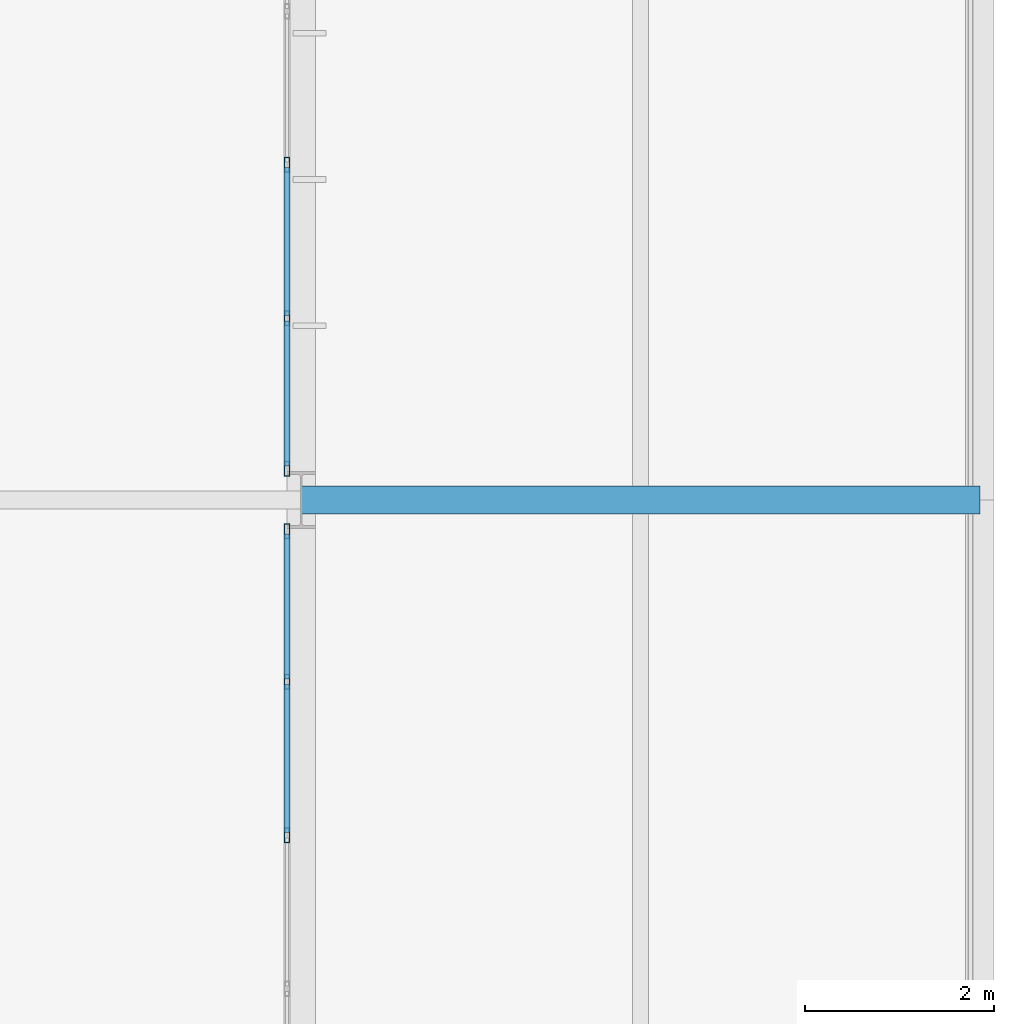
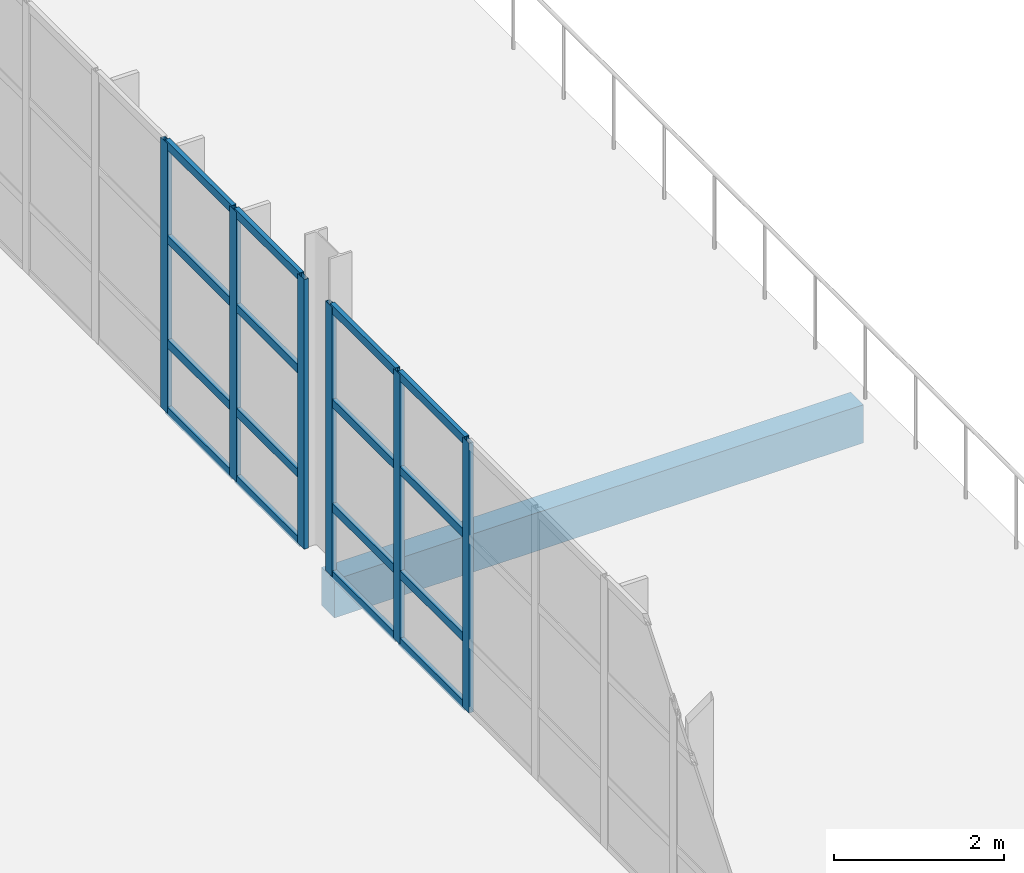
# One storey, part 81 of 109: 22 members, 1 beam, 2 elements without a shape of their own.
"""IFC4 building model written with IfcOpenShell, lengths in metres."""

from ifc_helpers import new_model, si_unit, direction, frame, origin, origin_2d, place, context, subcontext, project, spatial, rectangle, hollow_rectangle, extrude, material, material_profile, profile_set, type_object, element, aggregate, save


model = new_model("IFC4")

# Units and contexts
model_context = context("Model", 3, precision=1e-05, world=origin(), true_north=direction((0.0, 1.0)))
body_context = subcontext(model_context, "Body", "Model", "MODEL_VIEW")
ifc_project = project(units=[si_unit("LENGTHUNIT", "METRE"), si_unit("AREAUNIT", "SQUARE_METRE"), si_unit("VOLUMEUNIT", "CUBIC_METRE"), si_unit("PLANEANGLEUNIT", "RADIAN"), si_unit("MASSUNIT", "GRAM", prefix="KILO")], contexts=[model_context])

# Site, building, storey
site_placement = place(None, origin())
site = spatial("IfcSite", under=ifc_project, at=site_placement, CompositionType="ELEMENT")
building_placement = place(site_placement, origin())
building = spatial("IfcBuilding", under=site, at=building_placement, Name="Veltarok Museum of Natural Sciences", CompositionType="ELEMENT")
storey_placement = place(building_placement, frame((0.0, 0.0, 17.39990234375)))
storey = spatial("IfcBuildingStorey", under=building, at=storey_placement, Name="L03", CompositionType="ELEMENT", Elevation=17.39990234375)

# Curtain wall, members
ifc_material_1 = material(Name="Low-iron triple insulated glass", Category="glass")
curtain_wall_type_1 = type_object("IfcCurtainWallType", Name="Curtain Wall System CW-V5E-L03-E-1140x388 (V5 East Lab L03 E-F 1140x388cm)", PredefinedType="NOTDEFINED", material=ifc_material_1)
curtain_wall_1_placement = place(storey_placement, origin())
curtain_wall_1 = element("IfcCurtainWall", 1, at=curtain_wall_1_placement, inside=storey, type_object=curtain_wall_type_1, Name="Curtain Wall CW-V5E-L03-E-1140x388 CW-0118", PredefinedType="NOTDEFINED")
ifc_material_2 = material(Name="Thermally broken anodised aluminium", Category="aluminium")
ifc_material_profile_1 = material_profile(ifc_material_2, hollow_rectangle(XDim=0.06005859375, YDim=0.1201171875, WallThickness=0.0048828125, at=origin_2d()), Name="CW TRANSOM 60x120x5")
ifc_profile_set_1 = profile_set([ifc_material_profile_1], Name="Thermally broken anodised aluminium")
member_type_1 = type_object("IfcMemberType", Name="Curtain Wall Horizontal Transom 60x120x5", PredefinedType="USERDEFINED", material=ifc_profile_set_1)
member_1_placement = place(storey_placement, frame((157.449951171875, 44.472900390625, 0.030029296875), z_axis=(0.0, 1.0, 0.0), x_axis=(-1.0, 0.0, 0.0)))
member_1 = element("IfcMember", 2, at=member_1_placement, type_object=member_type_1, Name="CW-V5E-L03-E-1140x388 transom 6.1", ObjectType="TRANSOM", PredefinedType="USERDEFINED", context=body_context, shape_type="SweptSolid", body=[
    extrude(hollow_rectangle(XDim=0.06005859375, YDim=0.1201171875, WallThickness=0.0048828125, at=origin_2d()), origin(), (0.0, 0.0, 1.0), 1.568603515625),
])
member_2_placement = place(storey_placement, frame((157.449951171875, 44.472900390625, 1.0), z_axis=(0.0, 1.0, 0.0), x_axis=(-1.0, 0.0, 0.0)))
member_2 = element("IfcMember", 3, at=member_2_placement, type_object=member_type_1, Name="CW-V5E-L03-E-1140x388 transom 6.2", ObjectType="TRANSOM", PredefinedType="USERDEFINED", context=body_context, shape_type="SweptSolid", body=[
    extrude(hollow_rectangle(XDim=0.06005859375, YDim=0.1201171875, WallThickness=0.0048828125, at=origin_2d()), origin(), (0.0, 0.0, 1.0), 1.568603515625),
])
member_3_placement = place(storey_placement, frame((157.449951171875, 44.472900390625, 2.5), z_axis=(0.0, 1.0, 0.0), x_axis=(-1.0, 0.0, 0.0)))
member_3 = element("IfcMember", 4, at=member_3_placement, type_object=member_type_1, Name="CW-V5E-L03-E-1140x388 transom 6.3", ObjectType="TRANSOM", PredefinedType="USERDEFINED", context=body_context, shape_type="SweptSolid", body=[
    extrude(hollow_rectangle(XDim=0.06005859375, YDim=0.1201171875, WallThickness=0.0048828125, at=origin_2d()), origin(), (0.0, 0.0, 1.0), 1.568603515625),
])
member_4_placement = place(storey_placement, frame((157.449951171875, 44.472900390625, 3.85009765625), z_axis=(0.0, 1.0, 0.0), x_axis=(-1.0, 0.0, 0.0)))
member_4 = element("IfcMember", 5, at=member_4_placement, type_object=member_type_1, Name="CW-V5E-L03-E-1140x388 transom 6.4", ObjectType="TRANSOM", PredefinedType="USERDEFINED", context=body_context, shape_type="SweptSolid", body=[
    extrude(hollow_rectangle(XDim=0.06005859375, YDim=0.1201171875, WallThickness=0.0048828125, at=origin_2d()), origin(), (0.0, 0.0, 1.0), 1.568603515625),
])
member_5_placement = place(storey_placement, frame((157.449951171875, 46.101318359375, 0.030029296875), z_axis=(0.0, 1.0, 0.0), x_axis=(-1.0, 0.0, 0.0)))
member_5 = element("IfcMember", 6, at=member_5_placement, type_object=member_type_1, Name="CW-V5E-L03-E-1140x388 transom 7.1", ObjectType="TRANSOM", PredefinedType="USERDEFINED", context=body_context, shape_type="SweptSolid", body=[
    extrude(hollow_rectangle(XDim=0.06005859375, YDim=0.1201171875, WallThickness=0.0048828125, at=origin_2d()), origin(), (0.0, 0.0, 1.0), 1.53857421875),
])
member_6_placement = place(storey_placement, frame((157.449951171875, 46.101318359375, 1.0), z_axis=(0.0, 1.0, 0.0), x_axis=(-1.0, 0.0, 0.0)))
member_6 = element("IfcMember", 7, at=member_6_placement, type_object=member_type_1, Name="CW-V5E-L03-E-1140x388 transom 7.2", ObjectType="TRANSOM", PredefinedType="USERDEFINED", context=body_context, shape_type="SweptSolid", body=[
    extrude(hollow_rectangle(XDim=0.06005859375, YDim=0.1201171875, WallThickness=0.0048828125, at=origin_2d()), origin(), (0.0, 0.0, 1.0), 1.53857421875),
])
member_7_placement = place(storey_placement, frame((157.449951171875, 46.101318359375, 2.5), z_axis=(0.0, 1.0, 0.0), x_axis=(-1.0, 0.0, 0.0)))
member_7 = element("IfcMember", 8, at=member_7_placement, type_object=member_type_1, Name="CW-V5E-L03-E-1140x388 transom 7.3", ObjectType="TRANSOM", PredefinedType="USERDEFINED", context=body_context, shape_type="SweptSolid", body=[
    extrude(hollow_rectangle(XDim=0.06005859375, YDim=0.1201171875, WallThickness=0.0048828125, at=origin_2d()), origin(), (0.0, 0.0, 1.0), 1.53857421875),
])
member_8_placement = place(storey_placement, frame((157.449951171875, 46.101318359375, 3.85009765625), z_axis=(0.0, 1.0, 0.0), x_axis=(-1.0, 0.0, 0.0)))
member_8 = element("IfcMember", 9, at=member_8_placement, type_object=member_type_1, Name="CW-V5E-L03-E-1140x388 transom 7.4", ObjectType="TRANSOM", PredefinedType="USERDEFINED", context=body_context, shape_type="SweptSolid", body=[
    extrude(hollow_rectangle(XDim=0.06005859375, YDim=0.1201171875, WallThickness=0.0048828125, at=origin_2d()), origin(), (0.0, 0.0, 1.0), 1.53857421875),
])

curtain_wall_type_2 = type_object("IfcCurtainWallType", Name="Curtain Wall System CW-V5E-L03-F-1140x388 (V5 East Lab L03 F-G 1140x388cm)", PredefinedType="NOTDEFINED", material=ifc_material_1)
curtain_wall_2_placement = place(storey_placement, origin())
curtain_wall_2 = element("IfcCurtainWall", 10, at=curtain_wall_2_placement, inside=storey, type_object=curtain_wall_type_2, Name="Curtain Wall CW-V5E-L03-F-1140x388 CW-0119", PredefinedType="NOTDEFINED")
member_9_placement = place(storey_placement, frame((157.449951171875, 48.360107421875, 0.030029296875), z_axis=(0.0, 1.0, 0.0), x_axis=(-1.0, 0.0, 0.0)))
member_9 = element("IfcMember", 11, at=member_9_placement, type_object=member_type_1, Name="CW-V5E-L03-F-1140x388 transom 1.1", ObjectType="TRANSOM", PredefinedType="USERDEFINED", context=body_context, shape_type="SweptSolid", body=[
    extrude(hollow_rectangle(XDim=0.06005859375, YDim=0.1201171875, WallThickness=0.0048828125, at=origin_2d()), origin(), (0.0, 0.0, 1.0), 1.53857421875),
])
member_10_placement = place(storey_placement, frame((157.449951171875, 48.360107421875, 1.0), z_axis=(0.0, 1.0, 0.0), x_axis=(-1.0, 0.0, 0.0)))
member_10 = element("IfcMember", 12, at=member_10_placement, type_object=member_type_1, Name="CW-V5E-L03-F-1140x388 transom 1.2", ObjectType="TRANSOM", PredefinedType="USERDEFINED", context=body_context, shape_type="SweptSolid", body=[
    extrude(hollow_rectangle(XDim=0.06005859375, YDim=0.1201171875, WallThickness=0.0048828125, at=origin_2d()), origin(), (0.0, 0.0, 1.0), 1.53857421875),
])
member_11_placement = place(storey_placement, frame((157.449951171875, 48.360107421875, 2.5), z_axis=(0.0, 1.0, 0.0), x_axis=(-1.0, 0.0, 0.0)))
member_11 = element("IfcMember", 13, at=member_11_placement, type_object=member_type_1, Name="CW-V5E-L03-F-1140x388 transom 1.3", ObjectType="TRANSOM", PredefinedType="USERDEFINED", context=body_context, shape_type="SweptSolid", body=[
    extrude(hollow_rectangle(XDim=0.06005859375, YDim=0.1201171875, WallThickness=0.0048828125, at=origin_2d()), origin(), (0.0, 0.0, 1.0), 1.53857421875),
])
member_12_placement = place(storey_placement, frame((157.449951171875, 48.360107421875, 3.85009765625), z_axis=(0.0, 1.0, 0.0), x_axis=(-1.0, 0.0, 0.0)))
member_12 = element("IfcMember", 14, at=member_12_placement, type_object=member_type_1, Name="CW-V5E-L03-F-1140x388 transom 1.4", ObjectType="TRANSOM", PredefinedType="USERDEFINED", context=body_context, shape_type="SweptSolid", body=[
    extrude(hollow_rectangle(XDim=0.06005859375, YDim=0.1201171875, WallThickness=0.0048828125, at=origin_2d()), origin(), (0.0, 0.0, 1.0), 1.53857421875),
])
member_13_placement = place(storey_placement, frame((157.449951171875, 49.95849609375, 0.030029296875), z_axis=(0.0, 1.0, 0.0), x_axis=(-1.0, 0.0, 0.0)))
member_13 = element("IfcMember", 15, at=member_13_placement, type_object=member_type_1, Name="CW-V5E-L03-F-1140x388 transom 2.1", ObjectType="TRANSOM", PredefinedType="USERDEFINED", context=body_context, shape_type="SweptSolid", body=[
    extrude(hollow_rectangle(XDim=0.06005859375, YDim=0.1201171875, WallThickness=0.0048828125, at=origin_2d()), origin(), (0.0, 0.0, 1.0), 1.568603515625),
])
member_14_placement = place(storey_placement, frame((157.449951171875, 49.95849609375, 1.0), z_axis=(0.0, 1.0, 0.0), x_axis=(-1.0, 0.0, 0.0)))
member_14 = element("IfcMember", 16, at=member_14_placement, type_object=member_type_1, Name="CW-V5E-L03-F-1140x388 transom 2.2", ObjectType="TRANSOM", PredefinedType="USERDEFINED", context=body_context, shape_type="SweptSolid", body=[
    extrude(hollow_rectangle(XDim=0.06005859375, YDim=0.1201171875, WallThickness=0.0048828125, at=origin_2d()), origin(), (0.0, 0.0, 1.0), 1.568603515625),
])
member_15_placement = place(storey_placement, frame((157.449951171875, 49.95849609375, 2.5), z_axis=(0.0, 1.0, 0.0), x_axis=(-1.0, 0.0, 0.0)))
member_15 = element("IfcMember", 17, at=member_15_placement, type_object=member_type_1, Name="CW-V5E-L03-F-1140x388 transom 2.3", ObjectType="TRANSOM", PredefinedType="USERDEFINED", context=body_context, shape_type="SweptSolid", body=[
    extrude(hollow_rectangle(XDim=0.06005859375, YDim=0.1201171875, WallThickness=0.0048828125, at=origin_2d()), origin(), (0.0, 0.0, 1.0), 1.568603515625),
])
member_16_placement = place(storey_placement, frame((157.449951171875, 49.95849609375, 3.85009765625), z_axis=(0.0, 1.0, 0.0), x_axis=(-1.0, 0.0, 0.0)))
member_16 = element("IfcMember", 18, at=member_16_placement, type_object=member_type_1, Name="CW-V5E-L03-F-1140x388 transom 2.4", ObjectType="TRANSOM", PredefinedType="USERDEFINED", context=body_context, shape_type="SweptSolid", body=[
    extrude(hollow_rectangle(XDim=0.06005859375, YDim=0.1201171875, WallThickness=0.0048828125, at=origin_2d()), origin(), (0.0, 0.0, 1.0), 1.568603515625),
])

# Member
ifc_material_profile_2 = material_profile(ifc_material_2, hollow_rectangle(XDim=0.06005859375, YDim=0.159912109375, WallThickness=0.0048828125, at=origin_2d()), Name="CW MULLION 60x160x5")
ifc_profile_set_2 = profile_set([ifc_material_profile_2], Name="Thermally broken anodised aluminium")
member_type_2 = type_object("IfcMemberType", Name="Curtain Wall Vertical Mullion 60x160x5", PredefinedType="MULLION", material=ifc_profile_set_2)
member_17_placement = place(storey_placement, frame((157.449951171875, 44.44287109375, 0.0), z_axis=(0.0, 0.0, 1.0), x_axis=(-1.0, 0.0, 0.0)))
member_17 = element("IfcMember", 19, at=member_17_placement, type_object=member_type_2, Name="CW-V5E-L03-E-1140x388 mullion 6", PredefinedType="MULLION", context=body_context, shape_type="SweptSolid", body=[
    extrude(hollow_rectangle(XDim=0.06005859375, YDim=0.159912109375, WallThickness=0.0048828125, at=origin_2d()), origin(), (0.0, 0.0, 1.0), 3.880126953125),
])

member_18_placement = place(storey_placement, frame((157.449951171875, 46.071533203125, 0.0), z_axis=(0.0, 0.0, 1.0), x_axis=(-1.0, 0.0, 0.0)))
member_18 = element("IfcMember", 20, at=member_18_placement, type_object=member_type_2, Name="CW-V5E-L03-E-1140x388 mullion 7", PredefinedType="MULLION", context=body_context, shape_type="SweptSolid", body=[
    extrude(hollow_rectangle(XDim=0.06005859375, YDim=0.159912109375, WallThickness=0.0048828125, at=origin_2d()), origin(), (0.0, 0.0, 1.0), 3.880126953125),
])

member_19_placement = place(storey_placement, frame((157.449951171875, 47.669921875, 0.0), z_axis=(0.0, 0.0, 1.0), x_axis=(-1.0, 0.0, 0.0)))
member_19 = element("IfcMember", 21, at=member_19_placement, type_object=member_type_2, Name="CW-V5E-L03-E-1140x388 mullion 8", PredefinedType="MULLION", context=body_context, shape_type="SweptSolid", body=[
    extrude(hollow_rectangle(XDim=0.06005859375, YDim=0.159912109375, WallThickness=0.0048828125, at=origin_2d()), origin(), (0.0, 0.0, 1.0), 3.880126953125),
])

aggregate(curtain_wall_1, [member_17, member_18, member_19, member_1, member_2, member_3, member_4, member_5, member_6, member_7, member_8])

member_20_placement = place(storey_placement, frame((157.449951171875, 48.330078125, 0.0), z_axis=(0.0, 0.0, 1.0), x_axis=(-1.0, 0.0, 0.0)))
member_20 = element("IfcMember", 22, at=member_20_placement, type_object=member_type_2, Name="CW-V5E-L03-F-1140x388 mullion 1", PredefinedType="MULLION", context=body_context, shape_type="SweptSolid", body=[
    extrude(hollow_rectangle(XDim=0.06005859375, YDim=0.159912109375, WallThickness=0.0048828125, at=origin_2d()), origin(), (0.0, 0.0, 1.0), 3.880126953125),
])

member_21_placement = place(storey_placement, frame((157.449951171875, 49.928466796875, 0.0), z_axis=(0.0, 0.0, 1.0), x_axis=(-1.0, 0.0, 0.0)))
member_21 = element("IfcMember", 23, at=member_21_placement, type_object=member_type_2, Name="CW-V5E-L03-F-1140x388 mullion 2", PredefinedType="MULLION", context=body_context, shape_type="SweptSolid", body=[
    extrude(hollow_rectangle(XDim=0.06005859375, YDim=0.159912109375, WallThickness=0.0048828125, at=origin_2d()), origin(), (0.0, 0.0, 1.0), 3.880126953125),
])

member_22_placement = place(storey_placement, frame((157.449951171875, 51.55712890625, 0.0), z_axis=(0.0, 0.0, 1.0), x_axis=(-1.0, 0.0, 0.0)))
member_22 = element("IfcMember", 24, at=member_22_placement, type_object=member_type_2, Name="CW-V5E-L03-F-1140x388 mullion 3", PredefinedType="MULLION", context=body_context, shape_type="SweptSolid", body=[
    extrude(hollow_rectangle(XDim=0.06005859375, YDim=0.159912109375, WallThickness=0.0048828125, at=origin_2d()), origin(), (0.0, 0.0, 1.0), 3.880126953125),
])

aggregate(curtain_wall_2, [member_20, member_21, member_22, member_9, member_10, member_11, member_12, member_13, member_14, member_15, member_16])

# Beam
ifc_material_3 = material(Name="Precast concrete C40/50", Category="concrete")
ifc_material_profile_3 = material_profile(ifc_material_3, rectangle(XDim=0.300048828125, YDim=0.550048828125, at=origin_2d()), Name="RC 300x550")
ifc_profile_set_3 = profile_set([ifc_material_profile_3], Name="Precast concrete C40/50")
beam_type = type_object("IfcBeamType", Name="East Wing Precast Spandrel RC 300x550", PredefinedType="SPANDREL", material=ifc_profile_set_3)
beam_placement = place(storey_placement, frame((157.60009765625, 48.0, -0.534912109375), z_axis=(1.0, 0.0, 0.0), x_axis=(0.0, 1.0, 0.0)))
element("IfcBeam", 25, at=beam_placement, inside=storey, type_object=beam_type, Name="Beam BM-SP02 L03 19-20/F", PredefinedType="SPANDREL", context=body_context, shape_type="SweptSolid", body=[
    extrude(rectangle(XDim=0.300048828125, YDim=0.550048828125, at=origin_2d()), origin(), (0.0, 0.0, 1.0), 7.199951171875),
])

save(model, "model.ifc")
